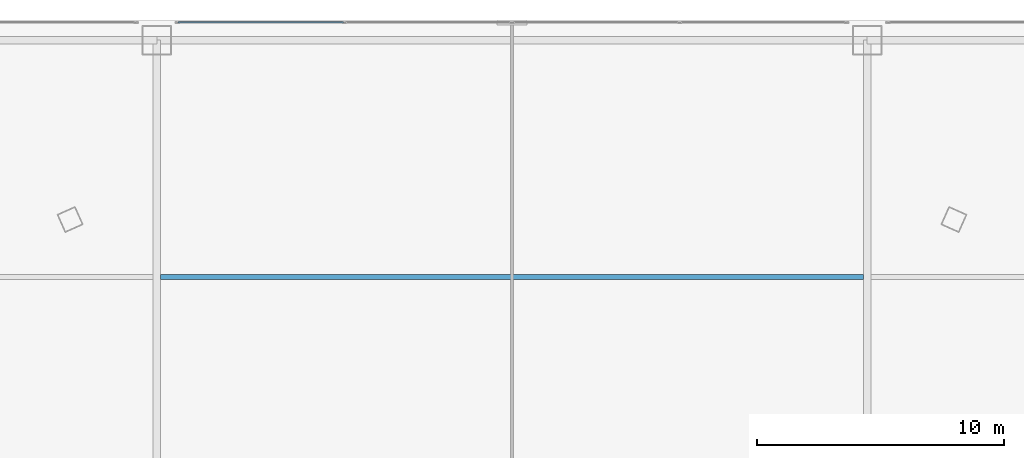
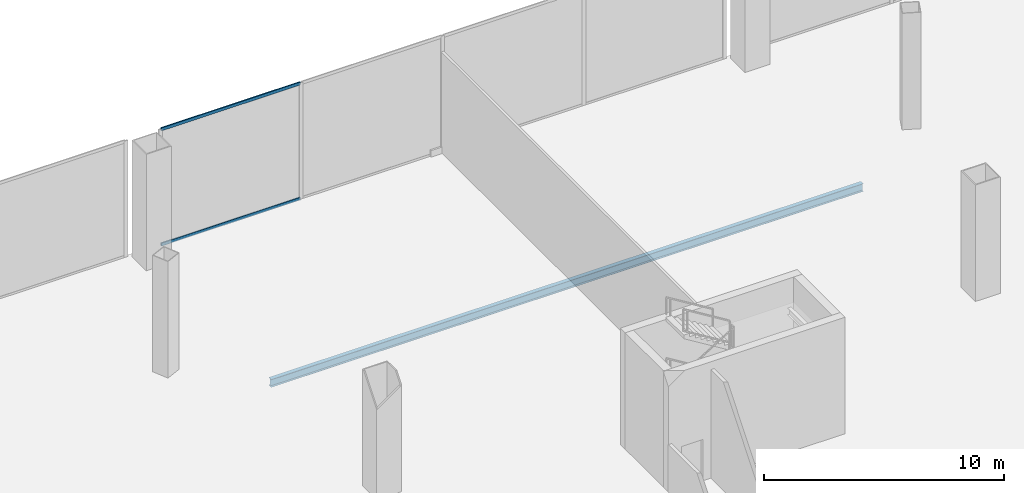
# One storey, part 21 of 41: 2 members, 1 beam, 1 element without a shape of its own.
"""IFC4 building model written with IfcOpenShell, lengths in metres."""

import ifcopenshell
import ifcopenshell.guid

model = None  # the IFC model being written
_history = None  # IfcOwnerHistory: only IFC2X3 demands one
_inside = {}  # id of a spatial element -> (the spatial element, [elements in it])
_under = {}  # id of a project, library or spatial element -> (it, [spatial elements below it])
_declared = {}  # id of a project -> (the project, [libraries it declares])
_typed = {}  # id of a type object -> (the type object, [elements of that type])
_made_of = {}  # id of a material, layer set ... -> (it, [elements and type objects made of it])


def new_model(schema):
    """Start an empty IFC model of exactly this schema.

    Asked for "IFC4X3", IfcOpenShell would pick the latest addendum, in which some entities
    have other attributes; the version numbers below select the first issue.
    IFC2X3 requires an IfcOwnerHistory on every rooted entity: one is made here for all.
    """
    global model, _history
    if schema == "IFC4X3":
        model = ifcopenshell.file(schema_version=(4, 3, 0, 0))
    else:
        model = ifcopenshell.file(schema=schema)
    _inside.clear()
    _under.clear()
    _declared.clear()
    _typed.clear()
    _made_of.clear()
    _history = None
    if model.schema == "IFC2X3":
        org = make("IfcOrganization", Name="unknown")
        user = make(
            "IfcPersonAndOrganization",
            ThePerson=make("IfcPerson", FamilyName="unknown"),
            TheOrganization=org,
        )
        app = make(
            "IfcApplication",
            ApplicationDeveloper=org,
            Version="unknown",
            ApplicationFullName="unknown",
            ApplicationIdentifier="unknown",
        )
        _history = make(
            "IfcOwnerHistory",
            OwningUser=user,
            OwningApplication=app,
            ChangeAction="ADDED",
            CreationDate=0,
        )
    return model


def make(cls, **values):
    """One entity of the class cls with the attributes given. An attribute that is None is left unset."""
    return model.create_entity(
        cls, **{name: value for name, value in values.items() if value is not None}
    )


def rooted(cls, **values):
    """An entity with a GlobalId (a new one), such as an element, a storey or a relation."""
    return make(cls, GlobalId=ifcopenshell.guid.new(), OwnerHistory=_history, **values)


def si_unit(unit_type, name, prefix=None):
    """IfcSIUnit, for example si_unit("LENGTHUNIT", "METRE", prefix="MILLI")."""
    return make("IfcSIUnit", UnitType=unit_type, Prefix=prefix, Name=name)


def assignment(units):
    """IfcUnitAssignment: the units of a project."""
    return None if units is None else make("IfcUnitAssignment", Units=units)


def point(xyz):
    """IfcCartesianPoint."""
    return None if xyz is None else make("IfcCartesianPoint", Coordinates=xyz)


def direction(xyz):
    """IfcDirection."""
    return None if xyz is None else make("IfcDirection", DirectionRatios=xyz)


def frame(location, z_axis=None, x_axis=None):
    """IfcAxis2Placement3D, a coordinate frame: its origin and axes. An axis left out is left unset."""
    return make(
        "IfcAxis2Placement3D",
        Location=point(location),
        Axis=direction(z_axis),
        RefDirection=direction(x_axis),
    )


def frame_2d(location, x_axis=None):
    """IfcAxis2Placement2D, a coordinate frame in the plane: its origin and x axis."""
    return make(
        "IfcAxis2Placement2D", Location=point(location), RefDirection=direction(x_axis)
    )


def origin():
    """The frame at (0, 0, 0) with its axes left unset."""
    return frame((0.0, 0.0, 0.0))


def origin_2d():
    """The frame at (0, 0) in the plane with its x axis left unset."""
    return frame_2d((0.0, 0.0))


def place(relative_to, where):
    """IfcLocalPlacement: puts the frame where relative to a parent placement (None: the world)."""
    return make(
        "IfcLocalPlacement", PlacementRelTo=relative_to, RelativePlacement=where
    )


def context(
    kind, dimensions, precision=None, world=None, true_north=None, identifier=None
):
    """IfcGeometricRepresentationContext, for example the 3D "Model" context."""
    return make(
        "IfcGeometricRepresentationContext",
        ContextIdentifier=identifier,
        ContextType=kind,
        CoordinateSpaceDimension=dimensions,
        Precision=precision,
        WorldCoordinateSystem=world,
        TrueNorth=true_north,
    )


def subcontext(parent, identifier, kind, view, scale=None):
    """IfcGeometricRepresentationSubContext, for example "Body" below "Model"."""
    return make(
        "IfcGeometricRepresentationSubContext",
        ContextIdentifier=identifier,
        ContextType=kind,
        ParentContext=parent,
        TargetScale=scale,
        TargetView=view,
    )


def project(units=None, contexts=None):
    """IfcProject with its units and contexts."""
    return rooted(
        "IfcProject",
        Name="project",
        RepresentationContexts=contexts,
        UnitsInContext=assignment(units),
    )


def spatial(cls, under=None, at=None, **own):
    """A site, building, storey or space (cls), placed at a placement, below another one or the project."""
    s = rooted(cls, ObjectPlacement=at, **own)
    if under is not None:
        _under.setdefault(under.id(), (under, []))[1].append(s)
    return s


def profile(cls, at=None, kind="AREA", **sizes):
    """A parametric profile (cls). Its sizes go by their IFC names, for example OverallWidth=200.0."""
    return make(cls, ProfileType=kind, Position=at, **sizes)


def hollow_rectangle(**sizes):
    """IfcRectangleHollowProfileDef."""
    return profile("IfcRectangleHollowProfileDef", **sizes)


def i_section(**sizes):
    """IfcIShapeProfileDef."""
    return profile("IfcIShapeProfileDef", **sizes)


def extrude(swept, where, along, depth):
    """IfcExtrudedAreaSolid: the profile swept, set in the frame where, extruded along a direction by depth."""
    return make(
        "IfcExtrudedAreaSolid",
        SweptArea=swept,
        Position=where,
        ExtrudedDirection=direction(along),
        Depth=depth,
    )


def shape(context_of_items, identifier, shape_type, items):
    """IfcShapeRepresentation: the items that make up one representation, for example the "Body"."""
    return make(
        "IfcShapeRepresentation",
        ContextOfItems=context_of_items,
        RepresentationIdentifier=identifier,
        RepresentationType=shape_type,
        Items=items,
    )


def source(mapping_origin, context_of_items, identifier, shape_type, items):
    """IfcRepresentationMap: a shape defined once, which mapped items show again and again."""
    return make(
        "IfcRepresentationMap",
        MappingOrigin=mapping_origin,
        MappedRepresentation=shape(context_of_items, identifier, shape_type, items),
    )


def transform(
    local_origin,
    x_axis=None,
    y_axis=None,
    z_axis=None,
    scale=None,
    scale2=None,
    scale3=None,
    uniform=True,
):
    """IfcCartesianTransformationOperator3D, or its non-uniform kind. x_axis, y_axis, z_axis: its Axis1, 2, 3."""
    if uniform:
        return make(
            "IfcCartesianTransformationOperator3D",
            Axis1=direction(x_axis),
            Axis2=direction(y_axis),
            LocalOrigin=point(local_origin),
            Scale=scale,
            Axis3=direction(z_axis),
        )
    return make(
        "IfcCartesianTransformationOperator3DnonUniform",
        Axis1=direction(x_axis),
        Axis2=direction(y_axis),
        LocalOrigin=point(local_origin),
        Scale=scale,
        Axis3=direction(z_axis),
        Scale2=scale2,
        Scale3=scale3,
    )


def mapped(mapping_source, mapping_target):
    """IfcMappedItem: shows the shape of a source again, moved by a transform."""
    return make(
        "IfcMappedItem", MappingSource=mapping_source, MappingTarget=mapping_target
    )


def material(Name=None, Category=None):
    """IfcMaterial."""
    return make("IfcMaterial", Name=Name, Category=Category)


def layer(
    of_material, thickness, ventilated=None, Name=None, Category=None, Priority=None
):
    """IfcMaterialLayer: one layer of a wall or slab, of a material (None: an air gap)."""
    return make(
        "IfcMaterialLayer",
        Material=of_material,
        LayerThickness=thickness,
        IsVentilated=ventilated,
        Name=Name,
        Category=Category,
        Priority=Priority,
    )


def layer_set(layers, Name=None):
    """IfcMaterialLayerSet."""
    return make("IfcMaterialLayerSet", MaterialLayers=layers, LayerSetName=Name)


def material_profile(
    of_material, cross_section, Name=None, Category=None, Priority=None
):
    """IfcMaterialProfile: a cross section and its material."""
    return make(
        "IfcMaterialProfile",
        Name=Name,
        Material=of_material,
        Profile=cross_section,
        Priority=Priority,
        Category=Category,
    )


def profile_set(profiles, Name=None, composite=None):
    """IfcMaterialProfileSet."""
    return make(
        "IfcMaterialProfileSet",
        Name=Name,
        MaterialProfiles=profiles,
        CompositeProfile=composite,
    )


def made_of(thing, what):
    """Note that an element or type object is made of a material, layer set ...; save() writes the relation."""
    if what is not None:
        _made_of.setdefault(what.id(), (what, []))[1].append(thing)
    return thing


def type_object(cls, material=None, **own):
    """A type object (cls), such as IfcWallType, which elements share."""
    return made_of(rooted(cls, **own), material)


def element(
    cls,
    number,
    at=None,
    inside=None,
    cuts=None,
    type_object=None,
    material=None,
    context=None,
    identifier="Body",
    shape_type=None,
    held_by="IfcProductDefinitionShape",
    body=None,
    shapes=None,
    **own,
):
    """One element of the class cls, such as IfcWall. Its Tag is "e" and its number.

    at: its placement. inside: the storey or other place that contains it. cuts: it is an
    opening in that element (IfcRelVoidsElement). A single representation is given by context,
    identifier, shape_type and body (its items); several are given by shapes. held_by: the class
    of the entity that holds the representations. save() writes the other relations.
    """
    e = rooted(cls, Tag="e%d" % number, ObjectPlacement=at, **own)
    if body is not None:
        shapes = [shape(context, identifier, shape_type, body)]
    if shapes is not None:
        e.Representation = make(held_by, Representations=shapes)
    if inside is not None:
        _inside.setdefault(inside.id(), (inside, []))[1].append(e)
    if cuts is not None:
        rooted(
            "IfcRelVoidsElement", RelatingBuildingElement=cuts, RelatedOpeningElement=e
        )
    if type_object is not None:
        _typed.setdefault(type_object.id(), (type_object, []))[1].append(e)
    return made_of(e, material)


def aggregate(whole, parts):
    """IfcRelAggregates: a whole, such as a stair, and the parts it consists of."""
    return rooted("IfcRelAggregates", RelatingObject=whole, RelatedObjects=parts)


def save(model, path):
    """Write the relations noted so far, then the file.

    IfcRelAggregates (storeys below a building ...), IfcRelContainedInSpatialStructure (elements
    in a storey), IfcRelDefinesByType, IfcRelAssociatesMaterial and IfcRelDeclares: one each for
    every whole, place, type object, material and project.
    """
    for whole, parts in _under.values():
        aggregate(whole, parts)
    for where, things in _inside.values():
        rooted(
            "IfcRelContainedInSpatialStructure",
            RelatedElements=things,
            RelatingStructure=where,
        )
    for kind, things in _typed.values():
        rooted("IfcRelDefinesByType", RelatedObjects=things, RelatingType=kind)
    for what, things in _made_of.values():
        rooted("IfcRelAssociatesMaterial", RelatedObjects=things, RelatingMaterial=what)
    for by, libraries in _declared.values():
        rooted("IfcRelDeclares", RelatingContext=by, RelatedDefinitions=libraries)
    model.write(path)


model = new_model("IFC4")

# Units and contexts
model_context = context("Model", 3, precision=1e-05, world=origin(), true_north=direction((0.0, 1.0)))
body_context = subcontext(model_context, "Body", "Model", "MODEL_VIEW")
ifc_project = project(units=[si_unit("LENGTHUNIT", "METRE"), si_unit("AREAUNIT", "SQUARE_METRE"), si_unit("VOLUMEUNIT", "CUBIC_METRE"), si_unit("PLANEANGLEUNIT", "RADIAN"), si_unit("MASSUNIT", "GRAM", prefix="KILO"), si_unit("THERMODYNAMICTEMPERATUREUNIT", "KELVIN"), si_unit("POWERUNIT", "WATT")], contexts=[model_context])

# Site, building, storey
site_placement = place(None, origin())
site = spatial("IfcSite", under=ifc_project, at=site_placement, CompositionType="ELEMENT")
building_placement = place(site_placement, origin())
building = spatial("IfcBuilding", under=site, at=building_placement, Name="Yunzhuo Pagoda Commons", CompositionType="ELEMENT")
storey_placement = place(building_placement, frame((0.0, 0.0, 19.199951171875)))
storey = spatial("IfcBuildingStorey", under=building, at=storey_placement, Name="L05", CompositionType="ELEMENT", Elevation=19.199951171875)

# Beam
ifc_material_1 = material(Name="Structural steel Q355B", Category="steel")
ifc_material_profile_1 = material_profile(ifc_material_1, i_section(OverallWidth=0.199951171875, OverallDepth=0.39990234375, WebThickness=0.008056640625, FlangeThickness=0.012939453125, at=origin_2d()), Name="Structural steel Q355B")
ifc_profile_set_1 = profile_set([ifc_material_profile_1], Name="Structural steel Q355B")
beam_type = type_object("IfcBeamType", Name="B-JS1 Joist HN 400x200x8x13", PredefinedType="JOIST", material=ifc_profile_set_1)
shared_shape_1 = source(origin(), body_context, "Body", "SweptSolid", [
    extrude(i_section(OverallWidth=0.199951171875, OverallDepth=0.39990234375, WebThickness=0.008056640625, FlangeThickness=0.012939453125, at=origin_2d()), origin(), (0.0, 0.0, 1.0), 28.490234375),
])
beam_placement = place(storey_placement, frame((33.7548828125, 71.60009765625, -0.47998046875), z_axis=(1.0, 0.0, 0.0), x_axis=(0.0, 1.0, 0.0)))
element("IfcBeam", 1, at=beam_placement, inside=storey, type_object=beam_type, Name="L05 podium composite joist 3.4", PredefinedType="JOIST", context=body_context, shape_type="MappedRepresentation", body=[
    mapped(shared_shape_1, transform((0.0, 0.0, 0.0), scale=1.0)),
])

# Curtain wall, members
ifc_material_2 = material(Name="Anodized aluminium 6063-T6", Category="aluminium")
ifc_layer = layer(ifc_material_2, 0.179931640625)
ifc_layer_set = layer_set([ifc_layer], Name="Anodized aluminium 6063-T6")
curtain_wall_type = type_object("IfcCurtainWallType", Name="CW-POD Waterfront Podium Curtain Wall", PredefinedType="NOTDEFINED", material=ifc_layer_set)
curtain_wall_placement = place(storey_placement, origin())
curtain_wall = element("IfcCurtainWall", 2, at=curtain_wall_placement, inside=storey, type_object=curtain_wall_type, Name="L05 curtain wall CW-L05-N3", PredefinedType="NOTDEFINED")
ifc_material_profile_2 = material_profile(ifc_material_2, hollow_rectangle(XDim=0.06005859375, YDim=0.14990234375, WallThickness=0.00390625, at=origin_2d()), Name="Anodized aluminium 6063-T6")
ifc_profile_set_2 = profile_set([ifc_material_profile_2], Name="Anodized aluminium 6063-T6")
member_type = type_object("IfcMemberType", Name="CW-POD-T Transom RHS 150x60x4", PredefinedType="USERDEFINED", material=ifc_profile_set_2)
shared_shape_2 = source(origin(), body_context, "Body", "SweptSolid", [
    extrude(hollow_rectangle(XDim=0.06005859375, YDim=0.14990234375, WallThickness=0.00390625, at=origin_2d()), origin(), (0.0, 0.0, 1.0), 6.70263671875),
])
member_1_placement = place(storey_placement, frame((34.465087890625, 81.919921875, 0.0302734375), z_axis=(1.0, 0.0, 0.0), x_axis=(0.0, 1.0, 0.0)))
member_1 = element("IfcMember", 3, at=member_1_placement, type_object=member_type, Name="CW transom 1.1", ObjectType="TRANSOM", PredefinedType="USERDEFINED", context=body_context, shape_type="MappedRepresentation", body=[
    mapped(shared_shape_2, transform((0.0, 0.0, 0.0), scale=1.0)),
])
member_2_placement = place(storey_placement, frame((34.465087890625, 81.919921875, 5.89013671875), z_axis=(1.0, 0.0, 0.0), x_axis=(0.0, 1.0, 0.0)))
member_2 = element("IfcMember", 4, at=member_2_placement, type_object=member_type, Name="CW transom 1.2", ObjectType="TRANSOM", PredefinedType="USERDEFINED", context=body_context, shape_type="MappedRepresentation", body=[
    mapped(shared_shape_2, transform((0.0, 0.0, 0.0), scale=1.0)),
])
aggregate(curtain_wall, [member_1, member_2])

save(model, "model.ifc")
